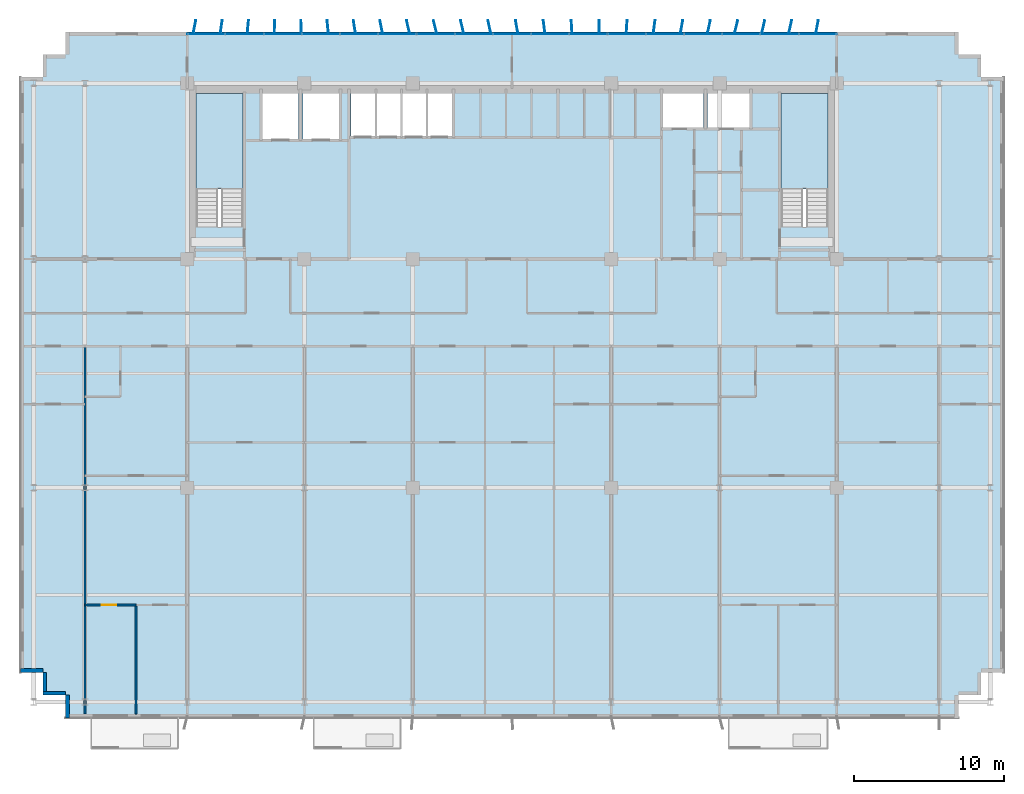
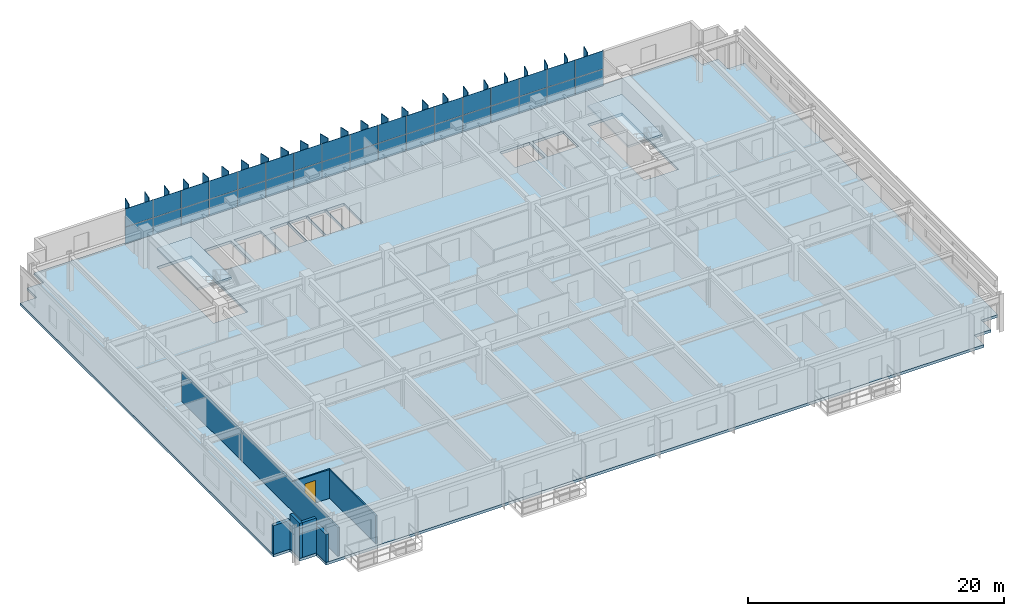
# One storey, part 14 of 22: 58 plates, 7 walls, 3 slabs, 1 door, 1 opening, 3 elements without a shape of their own.
"""IFC4 building model written with IfcOpenShell, lengths in metres."""

from ifc_helpers import new_model, si_unit, direction, frame, frame_2d, origin, origin_2d, place, context, subcontext, project, spatial, polyline, rectangle, outline, extrude, source, transform, mapped, material, layer, layer_set, type_object, element, fill, aggregate, save


model = new_model("IFC4")

# Units and contexts
model_context = context("Model", 3, precision=1e-05, world=origin(), true_north=direction((0.0, 1.0)))
body_context = subcontext(model_context, "Body", "Model", "MODEL_VIEW")
ifc_project = project(units=[si_unit("LENGTHUNIT", "METRE"), si_unit("AREAUNIT", "SQUARE_METRE"), si_unit("VOLUMEUNIT", "CUBIC_METRE"), si_unit("PLANEANGLEUNIT", "RADIAN"), si_unit("MASSUNIT", "GRAM", prefix="KILO")], contexts=[model_context])

# Site, building, storey
site_placement = place(None, origin())
site = spatial("IfcSite", under=ifc_project, at=site_placement, CompositionType="ELEMENT")
building_placement = place(site_placement, origin())
building = spatial("IfcBuilding", under=site, at=building_placement, Name="Trelvane Seafront Commons", CompositionType="ELEMENT")
storey_placement = place(building_placement, frame((0.0, 0.0, 59.5)))
storey = spatial("IfcBuildingStorey", under=building, at=storey_placement, Name="L15", CompositionType="ELEMENT", Elevation=59.5)

# Stair, slab
ifc_material_1 = material(Name="Concrete C40/50", Category="concrete")
stair_type_1 = type_object("IfcStairType", Name="ARCH-STR-ST-1-R20-180", PredefinedType="HALF_TURN_STAIR", material=ifc_material_1)
stair_1_placement = place(storey_placement, origin())
stair_1 = element("IfcStair", 1, at=stair_1_placement, inside=storey, type_object=stair_type_1, Name="L15 West Protected Firefighting Exit Stair ST-1", PredefinedType="HALF_TURN_STAIR")
ifc_layer_1 = layer(ifc_material_1, 0.199951171875, Name="ARCH-LND-200")
ifc_layer_set_1 = layer_set([ifc_layer_1], Name="Concrete C40/50")
slab_type_1 = type_object("IfcSlabType", Name="ARCH-LND-200", PredefinedType="LANDING", material=ifc_layer_set_1)
slab_1_placement = place(storey_placement, frame((0.0, 0.0, 1.60009765625)))
slab_1 = element("IfcSlab", 2, at=slab_1_placement, type_object=slab_type_1, Name="ST-1 landing 1", PredefinedType="LANDING", context=body_context, shape_type="SweptSolid", body=[
    extrude(outline(polyline([(19.300048828125, 38.070068359375), (19.300048828125, 44.39990234375), (16.199951171875, 44.39990234375), (16.199951171875, 38.070068359375), (19.300048828125, 38.070068359375)])), origin(), (0.0, 0.0, 1.0), 0.199951171875),
])
aggregate(stair_1, [slab_1])

stair_type_2 = type_object("IfcStairType", Name="ARCH-STR-ST-2-R20-180", PredefinedType="HALF_TURN_STAIR", material=ifc_material_1)
stair_2_placement = place(storey_placement, origin())
stair_2 = element("IfcStair", 3, at=stair_2_placement, inside=storey, type_object=stair_type_2, Name="L15 East Protected Firefighting Exit Stair ST-2", PredefinedType="HALF_TURN_STAIR")
slab_2_placement = place(storey_placement, frame((0.0, 0.0, 1.60009765625)))
slab_2 = element("IfcSlab", 4, at=slab_2_placement, type_object=slab_type_1, Name="ST-2 landing 1", PredefinedType="LANDING", context=body_context, shape_type="SweptSolid", body=[
    extrude(outline(polyline([(58.199951171875, 38.070068359375), (58.199951171875, 44.39990234375), (55.10009765625, 44.39990234375), (55.10009765625, 38.070068359375), (58.199951171875, 38.070068359375)])), origin(), (0.0, 0.0, 1.0), 0.199951171875),
])
aggregate(stair_2, [slab_2])

# Slab
ifc_material_2 = material(Name="Concrete C50/60", Category="concrete")
ifc_layer_2 = layer(ifc_material_2, 0.260009765625, Name="STR-SLB-Z1-260")
ifc_layer_set_2 = layer_set([ifc_layer_2], Name="Concrete C50/60")
slab_type_2 = type_object("IfcSlabType", Name="STR-SLB-Z1-260", PredefinedType="FLOOR", material=ifc_layer_set_2)
slab_3_placement = place(storey_placement, frame((0.0, 0.0, -0.260009765625)))
element("IfcSlab", 5, at=slab_3_placement, inside=storey, type_object=slab_type_2, Name="L15 Structural Floor Slab", PredefinedType="FLOOR", context=body_context, shape_type="SweptSolid", body=[
    extrude(outline(polyline([(7.5, 2.89990234375), (66.89990234375, 2.89990234375), (66.89990234375, 4.39990234375), (68.39990234375, 4.39990234375), (68.39990234375, 5.89990234375), (69.89990234375, 5.89990234375), (69.89990234375, 45.5), (68.39990234375, 45.5), (68.39990234375, 47.0), (66.89990234375, 47.0), (66.89990234375, 48.5), (7.5, 48.5), (7.5, 47.0), (6.0, 47.0), (6.0, 45.5), (4.5, 45.5), (4.5, 5.89990234375), (6.0, 5.89990234375), (6.0, 4.39990234375), (7.5, 4.39990234375), (7.5, 2.89990234375)]), holes=[polyline([(19.300048828125, 35.550048828125), (16.199951171875, 35.550048828125), (16.199951171875, 44.39990234375), (19.300048828125, 44.39990234375), (19.300048828125, 35.550048828125)]), polyline([(58.199951171875, 35.550048828125), (55.10009765625, 35.550048828125), (55.10009765625, 44.39990234375), (58.199951171875, 44.39990234375), (58.199951171875, 35.550048828125)]), polyline([(23.0, 41.39990234375), (20.60009765625, 41.39990234375), (20.60009765625, 44.60009765625), (23.0, 44.60009765625), (23.0, 41.39990234375)]), polyline([(23.300048828125, 41.39990234375), (23.300048828125, 44.60009765625), (25.699951171875, 44.60009765625), (25.699951171875, 41.39990234375), (23.300048828125, 41.39990234375)]), polyline([(26.5, 41.60009765625), (26.5, 44.60009765625), (28.1201171875, 44.60009765625), (28.1201171875, 41.60009765625), (26.5, 41.60009765625)]), polyline([(29.820068359375, 41.60009765625), (28.199951171875, 41.60009765625), (28.199951171875, 44.60009765625), (29.820068359375, 44.60009765625), (29.820068359375, 41.60009765625)]), polyline([(31.52001953125, 41.60009765625), (29.89990234375, 41.60009765625), (29.89990234375, 44.60009765625), (31.52001953125, 44.60009765625), (31.52001953125, 41.60009765625)]), polyline([(33.219970703125, 41.60009765625), (31.60009765625, 41.60009765625), (31.60009765625, 44.60009765625), (33.219970703125, 44.60009765625), (33.219970703125, 41.60009765625)]), polyline([(47.25, 42.14990234375), (47.25, 44.550048828125), (49.949951171875, 44.550048828125), (49.949951171875, 42.14990234375), (47.25, 42.14990234375)]), polyline([(50.199951171875, 42.14990234375), (50.199951171875, 44.550048828125), (53.0, 44.550048828125), (53.0, 42.14990234375), (50.199951171875, 42.14990234375)])]), origin(), (0.0, 0.0, 1.0), 0.260009765625),
])

# Curtain wall, plates
ifc_material_3 = material(Name="Anodised pale-silver aluminium", Category="aluminium")
curtain_wall_type = type_object("IfcCurtainWallType", Name="ARCH-CW2-LOWTOWER", PredefinedType="NOTDEFINED", material=ifc_material_3)
curtain_wall_placement = place(storey_placement, origin())
curtain_wall = element("IfcCurtainWall", 6, at=curtain_wall_placement, inside=storey, type_object=curtain_wall_type, Name="CW-L15-0039", PredefinedType="NOTDEFINED")
ifc_material_4 = material(Name="Low-E coastal double glazing", Category="glass")
ifc_layer_3 = layer(ifc_material_4, 0.033935546875, Name="ARCH-CW-GLAZ-34")
ifc_layer_set_3 = layer_set([ifc_layer_3], Name="Low-E coastal double glazing")
plate_type_1 = type_object("IfcPlateType", Name="ARCH-CW-GLAZ-34", PredefinedType="CURTAIN_PANEL", material=ifc_layer_set_3)
shared_shape_1 = source(origin(), body_context, "Body", "SweptSolid", [
    extrude(rectangle(XDim=2.51708984375, YDim=0.031982421875, at=origin_2d()), origin(), (0.0, 0.0, 1.0), 1.5849609375),
])
plate_1_placement = place(storey_placement, frame((16.87060546875, 48.3701171875, 0.0), z_axis=(0.0, 0.0, 1.0), x_axis=(1.0, 0.0, 0.0)))
plate_1 = element("IfcPlate", 7, at=plate_1_placement, type_object=plate_type_1, Name="CW-L15-0039-P00-1", PredefinedType="CURTAIN_PANEL", context=body_context, shape_type="MappedRepresentation", body=[
    mapped(shared_shape_1, transform((0.0, 0.0, 0.0), x_axis=(1.0, 0.0, 0.0), y_axis=(0.0, 1.0, 0.0), z_axis=(0.0, 0.0, 1.0), scale=1.0)),
])
plate_2_placement = place(storey_placement, frame((19.411865234375, 48.3701171875, 0.0), z_axis=(0.0, 0.0, 1.0), x_axis=(1.0, 0.0, 0.0)))
plate_2 = element("IfcPlate", 8, at=plate_2_placement, type_object=plate_type_1, Name="CW-L15-0039-P01-1", PredefinedType="CURTAIN_PANEL", context=body_context, shape_type="MappedRepresentation", body=[
    mapped(shared_shape_1, transform((0.0, 0.0, 0.0), x_axis=(1.0, 0.0, 0.0), y_axis=(0.0, 1.0, 0.0), z_axis=(0.0, 0.0, 1.0), scale=1.0)),
])
plate_3_placement = place(storey_placement, frame((21.952880859375, 48.3701171875, 0.0), z_axis=(0.0, 0.0, 1.0), x_axis=(1.0, 0.0, 0.0)))
plate_3 = element("IfcPlate", 9, at=plate_3_placement, type_object=plate_type_1, Name="CW-L15-0039-P02-1", PredefinedType="CURTAIN_PANEL", context=body_context, shape_type="MappedRepresentation", body=[
    mapped(shared_shape_1, transform((0.0, 0.0, 0.0), x_axis=(1.0, 0.0, 0.0), y_axis=(0.0, 1.0, 0.0), z_axis=(0.0, 0.0, 1.0), scale=1.0)),
])
plate_4_placement = place(storey_placement, frame((24.494140625, 48.3701171875, 0.0), z_axis=(0.0, 0.0, 1.0), x_axis=(1.0, 0.0, 0.0)))
plate_4 = element("IfcPlate", 10, at=plate_4_placement, type_object=plate_type_1, Name="CW-L15-0039-P03-1", PredefinedType="CURTAIN_PANEL", context=body_context, shape_type="MappedRepresentation", body=[
    mapped(shared_shape_1, transform((0.0, 0.0, 0.0), x_axis=(1.0, 0.0, 0.0), y_axis=(0.0, 1.0, 0.0), z_axis=(0.0, 0.0, 1.0), scale=1.0)),
])
plate_5_placement = place(storey_placement, frame((27.035400390625, 48.3701171875, 0.0), z_axis=(0.0, 0.0, 1.0), x_axis=(1.0, 0.0, 0.0)))
plate_5 = element("IfcPlate", 11, at=plate_5_placement, type_object=plate_type_1, Name="CW-L15-0039-P04-1", PredefinedType="CURTAIN_PANEL", context=body_context, shape_type="MappedRepresentation", body=[
    mapped(shared_shape_1, transform((0.0, 0.0, 0.0), x_axis=(1.0, 0.0, 0.0), y_axis=(0.0, 1.0, 0.0), z_axis=(0.0, 0.0, 1.0), scale=1.0)),
])
plate_6_placement = place(storey_placement, frame((29.576416015625, 48.3701171875, 0.0), z_axis=(0.0, 0.0, 1.0), x_axis=(1.0, 0.0, 0.0)))
plate_6 = element("IfcPlate", 12, at=plate_6_placement, type_object=plate_type_1, Name="CW-L15-0039-P05-1", PredefinedType="CURTAIN_PANEL", context=body_context, shape_type="MappedRepresentation", body=[
    mapped(shared_shape_1, transform((0.0, 0.0, 0.0), x_axis=(1.0, 0.0, 0.0), y_axis=(0.0, 1.0, 0.0), z_axis=(0.0, 0.0, 1.0), scale=1.0)),
])
plate_7_placement = place(storey_placement, frame((32.11767578125, 48.3701171875, 0.0), z_axis=(0.0, 0.0, 1.0), x_axis=(1.0, 0.0, 0.0)))
plate_7 = element("IfcPlate", 13, at=plate_7_placement, type_object=plate_type_1, Name="CW-L15-0039-P06-1", PredefinedType="CURTAIN_PANEL", context=body_context, shape_type="MappedRepresentation", body=[
    mapped(shared_shape_1, transform((0.0, 0.0, 0.0), x_axis=(1.0, 0.0, 0.0), y_axis=(0.0, 1.0, 0.0), z_axis=(0.0, 0.0, 1.0), scale=1.0)),
])
plate_8_placement = place(storey_placement, frame((34.65869140625, 48.3701171875, 0.0), z_axis=(0.0, 0.0, 1.0), x_axis=(1.0, 0.0, 0.0)))
plate_8 = element("IfcPlate", 14, at=plate_8_placement, type_object=plate_type_1, Name="CW-L15-0039-P07-1", PredefinedType="CURTAIN_PANEL", context=body_context, shape_type="MappedRepresentation", body=[
    mapped(shared_shape_1, transform((0.0, 0.0, 0.0), x_axis=(1.0, 0.0, 0.0), y_axis=(0.0, 1.0, 0.0), z_axis=(0.0, 0.0, 1.0), scale=1.0)),
])
plate_9_placement = place(storey_placement, frame((37.199951171875, 48.3701171875, 0.0), z_axis=(0.0, 0.0, 1.0), x_axis=(1.0, 0.0, 0.0)))
plate_9 = element("IfcPlate", 15, at=plate_9_placement, type_object=plate_type_1, Name="CW-L15-0039-P08-1", PredefinedType="CURTAIN_PANEL", context=body_context, shape_type="MappedRepresentation", body=[
    mapped(shared_shape_1, transform((0.0, 0.0, 0.0), x_axis=(1.0, 0.0, 0.0), y_axis=(0.0, 1.0, 0.0), z_axis=(0.0, 0.0, 1.0), scale=1.0)),
])
plate_10_placement = place(storey_placement, frame((39.7412109375, 48.3701171875, 0.0), z_axis=(0.0, 0.0, 1.0), x_axis=(1.0, 0.0, 0.0)))
plate_10 = element("IfcPlate", 16, at=plate_10_placement, type_object=plate_type_1, Name="CW-L15-0039-P09-1", PredefinedType="CURTAIN_PANEL", context=body_context, shape_type="MappedRepresentation", body=[
    mapped(shared_shape_1, transform((0.0, 0.0, 0.0), x_axis=(1.0, 0.0, 0.0), y_axis=(0.0, 1.0, 0.0), z_axis=(0.0, 0.0, 1.0), scale=1.0)),
])
plate_11_placement = place(storey_placement, frame((42.282470703125, 48.3701171875, 0.0), z_axis=(0.0, 0.0, 1.0), x_axis=(1.0, 0.0, 0.0)))
plate_11 = element("IfcPlate", 17, at=plate_11_placement, type_object=plate_type_1, Name="CW-L15-0039-P10-1", PredefinedType="CURTAIN_PANEL", context=body_context, shape_type="MappedRepresentation", body=[
    mapped(shared_shape_1, transform((0.0, 0.0, 0.0), x_axis=(1.0, 0.0, 0.0), y_axis=(0.0, 1.0, 0.0), z_axis=(0.0, 0.0, 1.0), scale=1.0)),
])
plate_12_placement = place(storey_placement, frame((44.823486328125, 48.3701171875, 0.0), z_axis=(0.0, 0.0, 1.0), x_axis=(1.0, 0.0, 0.0)))
plate_12 = element("IfcPlate", 18, at=plate_12_placement, type_object=plate_type_1, Name="CW-L15-0039-P11-1", PredefinedType="CURTAIN_PANEL", context=body_context, shape_type="MappedRepresentation", body=[
    mapped(shared_shape_1, transform((0.0, 0.0, 0.0), x_axis=(1.0, 0.0, 0.0), y_axis=(0.0, 1.0, 0.0), z_axis=(0.0, 0.0, 1.0), scale=1.0)),
])
plate_13_placement = place(storey_placement, frame((47.36474609375, 48.3701171875, 0.0), z_axis=(0.0, 0.0, 1.0), x_axis=(1.0, 0.0, 0.0)))
plate_13 = element("IfcPlate", 19, at=plate_13_placement, type_object=plate_type_1, Name="CW-L15-0039-P12-1", PredefinedType="CURTAIN_PANEL", context=body_context, shape_type="MappedRepresentation", body=[
    mapped(shared_shape_1, transform((0.0, 0.0, 0.0), x_axis=(1.0, 0.0, 0.0), y_axis=(0.0, 1.0, 0.0), z_axis=(0.0, 0.0, 1.0), scale=1.0)),
])
plate_14_placement = place(storey_placement, frame((49.906005859375, 48.3701171875, 0.0), z_axis=(0.0, 0.0, 1.0), x_axis=(1.0, 0.0, 0.0)))
plate_14 = element("IfcPlate", 20, at=plate_14_placement, type_object=plate_type_1, Name="CW-L15-0039-P13-1", PredefinedType="CURTAIN_PANEL", context=body_context, shape_type="MappedRepresentation", body=[
    mapped(shared_shape_1, transform((0.0, 0.0, 0.0), x_axis=(1.0, 0.0, 0.0), y_axis=(0.0, 1.0, 0.0), z_axis=(0.0, 0.0, 1.0), scale=1.0)),
])
plate_15_placement = place(storey_placement, frame((52.447021484375, 48.3701171875, 0.0), z_axis=(0.0, 0.0, 1.0), x_axis=(1.0, 0.0, 0.0)))
plate_15 = element("IfcPlate", 21, at=plate_15_placement, type_object=plate_type_1, Name="CW-L15-0039-P14-1", PredefinedType="CURTAIN_PANEL", context=body_context, shape_type="MappedRepresentation", body=[
    mapped(shared_shape_1, transform((0.0, 0.0, 0.0), x_axis=(1.0, 0.0, 0.0), y_axis=(0.0, 1.0, 0.0), z_axis=(0.0, 0.0, 1.0), scale=1.0)),
])
plate_16_placement = place(storey_placement, frame((54.98828125, 48.3701171875, 0.0), z_axis=(0.0, 0.0, 1.0), x_axis=(1.0, 0.0, 0.0)))
plate_16 = element("IfcPlate", 22, at=plate_16_placement, type_object=plate_type_1, Name="CW-L15-0039-P15-1", PredefinedType="CURTAIN_PANEL", context=body_context, shape_type="MappedRepresentation", body=[
    mapped(shared_shape_1, transform((0.0, 0.0, 0.0), x_axis=(1.0, 0.0, 0.0), y_axis=(0.0, 1.0, 0.0), z_axis=(0.0, 0.0, 1.0), scale=1.0)),
])
plate_17_placement = place(storey_placement, frame((57.529296875, 48.3701171875, 0.0), z_axis=(0.0, 0.0, 1.0), x_axis=(1.0, 0.0, 0.0)))
plate_17 = element("IfcPlate", 23, at=plate_17_placement, type_object=plate_type_1, Name="CW-L15-0039-P16-1", PredefinedType="CURTAIN_PANEL", context=body_context, shape_type="MappedRepresentation", body=[
    mapped(shared_shape_1, transform((0.0, 0.0, 0.0), x_axis=(1.0, 0.0, 0.0), y_axis=(0.0, 1.0, 0.0), z_axis=(0.0, 0.0, 1.0), scale=1.0)),
])
shared_shape_2 = source(origin(), body_context, "Body", "SweptSolid", [
    extrude(rectangle(XDim=2.51708984375, YDim=0.031982421875, at=origin_2d()), origin(), (0.0, 0.0, 1.0), 1.718994140625),
])
plate_18_placement = place(storey_placement, frame((16.87060546875, 48.3701171875, 1.62109375), z_axis=(0.0, 0.0, 1.0), x_axis=(1.0, 0.0, 0.0)))
plate_18 = element("IfcPlate", 24, at=plate_18_placement, type_object=plate_type_1, Name="CW-L15-0039-P00-2", PredefinedType="CURTAIN_PANEL", context=body_context, shape_type="MappedRepresentation", body=[
    mapped(shared_shape_2, transform((0.0, 0.0, 0.0), x_axis=(1.0, 0.0, 0.0), y_axis=(0.0, 1.0, 0.0), z_axis=(0.0, 0.0, 1.0), scale=1.0)),
])
plate_19_placement = place(storey_placement, frame((19.411865234375, 48.3701171875, 1.62109375), z_axis=(0.0, 0.0, 1.0), x_axis=(1.0, 0.0, 0.0)))
plate_19 = element("IfcPlate", 25, at=plate_19_placement, type_object=plate_type_1, Name="CW-L15-0039-P01-2", PredefinedType="CURTAIN_PANEL", context=body_context, shape_type="MappedRepresentation", body=[
    mapped(shared_shape_2, transform((0.0, 0.0, 0.0), x_axis=(1.0, 0.0, 0.0), y_axis=(0.0, 1.0, 0.0), z_axis=(0.0, 0.0, 1.0), scale=1.0)),
])
plate_20_placement = place(storey_placement, frame((21.952880859375, 48.3701171875, 1.62109375), z_axis=(0.0, 0.0, 1.0), x_axis=(1.0, 0.0, 0.0)))
plate_20 = element("IfcPlate", 26, at=plate_20_placement, type_object=plate_type_1, Name="CW-L15-0039-P02-2", PredefinedType="CURTAIN_PANEL", context=body_context, shape_type="MappedRepresentation", body=[
    mapped(shared_shape_2, transform((0.0, 0.0, 0.0), x_axis=(1.0, 0.0, 0.0), y_axis=(0.0, 1.0, 0.0), z_axis=(0.0, 0.0, 1.0), scale=1.0)),
])
plate_21_placement = place(storey_placement, frame((24.494140625, 48.3701171875, 1.62109375), z_axis=(0.0, 0.0, 1.0), x_axis=(1.0, 0.0, 0.0)))
plate_21 = element("IfcPlate", 27, at=plate_21_placement, type_object=plate_type_1, Name="CW-L15-0039-P03-2", PredefinedType="CURTAIN_PANEL", context=body_context, shape_type="MappedRepresentation", body=[
    mapped(shared_shape_2, transform((0.0, 0.0, 0.0), x_axis=(1.0, 0.0, 0.0), y_axis=(0.0, 1.0, 0.0), z_axis=(0.0, 0.0, 1.0), scale=1.0)),
])
plate_22_placement = place(storey_placement, frame((27.035400390625, 48.3701171875, 1.62109375), z_axis=(0.0, 0.0, 1.0), x_axis=(1.0, 0.0, 0.0)))
plate_22 = element("IfcPlate", 28, at=plate_22_placement, type_object=plate_type_1, Name="CW-L15-0039-P04-2", PredefinedType="CURTAIN_PANEL", context=body_context, shape_type="MappedRepresentation", body=[
    mapped(shared_shape_2, transform((0.0, 0.0, 0.0), x_axis=(1.0, 0.0, 0.0), y_axis=(0.0, 1.0, 0.0), z_axis=(0.0, 0.0, 1.0), scale=1.0)),
])
plate_23_placement = place(storey_placement, frame((29.576416015625, 48.3701171875, 1.62109375), z_axis=(0.0, 0.0, 1.0), x_axis=(1.0, 0.0, 0.0)))
plate_23 = element("IfcPlate", 29, at=plate_23_placement, type_object=plate_type_1, Name="CW-L15-0039-P05-2", PredefinedType="CURTAIN_PANEL", context=body_context, shape_type="MappedRepresentation", body=[
    mapped(shared_shape_2, transform((0.0, 0.0, 0.0), x_axis=(1.0, 0.0, 0.0), y_axis=(0.0, 1.0, 0.0), z_axis=(0.0, 0.0, 1.0), scale=1.0)),
])
plate_24_placement = place(storey_placement, frame((32.11767578125, 48.3701171875, 1.62109375), z_axis=(0.0, 0.0, 1.0), x_axis=(1.0, 0.0, 0.0)))
plate_24 = element("IfcPlate", 30, at=plate_24_placement, type_object=plate_type_1, Name="CW-L15-0039-P06-2", PredefinedType="CURTAIN_PANEL", context=body_context, shape_type="MappedRepresentation", body=[
    mapped(shared_shape_2, transform((0.0, 0.0, 0.0), x_axis=(1.0, 0.0, 0.0), y_axis=(0.0, 1.0, 0.0), z_axis=(0.0, 0.0, 1.0), scale=1.0)),
])
plate_25_placement = place(storey_placement, frame((34.65869140625, 48.3701171875, 1.62109375), z_axis=(0.0, 0.0, 1.0), x_axis=(1.0, 0.0, 0.0)))
plate_25 = element("IfcPlate", 31, at=plate_25_placement, type_object=plate_type_1, Name="CW-L15-0039-P07-2", PredefinedType="CURTAIN_PANEL", context=body_context, shape_type="MappedRepresentation", body=[
    mapped(shared_shape_2, transform((0.0, 0.0, 0.0), x_axis=(1.0, 0.0, 0.0), y_axis=(0.0, 1.0, 0.0), z_axis=(0.0, 0.0, 1.0), scale=1.0)),
])
plate_26_placement = place(storey_placement, frame((37.199951171875, 48.3701171875, 1.62109375), z_axis=(0.0, 0.0, 1.0), x_axis=(1.0, 0.0, 0.0)))
plate_26 = element("IfcPlate", 32, at=plate_26_placement, type_object=plate_type_1, Name="CW-L15-0039-P08-2", PredefinedType="CURTAIN_PANEL", context=body_context, shape_type="MappedRepresentation", body=[
    mapped(shared_shape_2, transform((0.0, 0.0, 0.0), x_axis=(1.0, 0.0, 0.0), y_axis=(0.0, 1.0, 0.0), z_axis=(0.0, 0.0, 1.0), scale=1.0)),
])
plate_27_placement = place(storey_placement, frame((39.7412109375, 48.3701171875, 1.62109375), z_axis=(0.0, 0.0, 1.0), x_axis=(1.0, 0.0, 0.0)))
plate_27 = element("IfcPlate", 33, at=plate_27_placement, type_object=plate_type_1, Name="CW-L15-0039-P09-2", PredefinedType="CURTAIN_PANEL", context=body_context, shape_type="MappedRepresentation", body=[
    mapped(shared_shape_2, transform((0.0, 0.0, 0.0), x_axis=(1.0, 0.0, 0.0), y_axis=(0.0, 1.0, 0.0), z_axis=(0.0, 0.0, 1.0), scale=1.0)),
])
plate_28_placement = place(storey_placement, frame((42.282470703125, 48.3701171875, 1.62109375), z_axis=(0.0, 0.0, 1.0), x_axis=(1.0, 0.0, 0.0)))
plate_28 = element("IfcPlate", 34, at=plate_28_placement, type_object=plate_type_1, Name="CW-L15-0039-P10-2", PredefinedType="CURTAIN_PANEL", context=body_context, shape_type="MappedRepresentation", body=[
    mapped(shared_shape_2, transform((0.0, 0.0, 0.0), x_axis=(1.0, 0.0, 0.0), y_axis=(0.0, 1.0, 0.0), z_axis=(0.0, 0.0, 1.0), scale=1.0)),
])
plate_29_placement = place(storey_placement, frame((44.823486328125, 48.3701171875, 1.62109375), z_axis=(0.0, 0.0, 1.0), x_axis=(1.0, 0.0, 0.0)))
plate_29 = element("IfcPlate", 35, at=plate_29_placement, type_object=plate_type_1, Name="CW-L15-0039-P11-2", PredefinedType="CURTAIN_PANEL", context=body_context, shape_type="MappedRepresentation", body=[
    mapped(shared_shape_2, transform((0.0, 0.0, 0.0), x_axis=(1.0, 0.0, 0.0), y_axis=(0.0, 1.0, 0.0), z_axis=(0.0, 0.0, 1.0), scale=1.0)),
])
plate_30_placement = place(storey_placement, frame((47.36474609375, 48.3701171875, 1.62109375), z_axis=(0.0, 0.0, 1.0), x_axis=(1.0, 0.0, 0.0)))
plate_30 = element("IfcPlate", 36, at=plate_30_placement, type_object=plate_type_1, Name="CW-L15-0039-P12-2", PredefinedType="CURTAIN_PANEL", context=body_context, shape_type="MappedRepresentation", body=[
    mapped(shared_shape_2, transform((0.0, 0.0, 0.0), x_axis=(1.0, 0.0, 0.0), y_axis=(0.0, 1.0, 0.0), z_axis=(0.0, 0.0, 1.0), scale=1.0)),
])
plate_31_placement = place(storey_placement, frame((49.906005859375, 48.3701171875, 1.62109375), z_axis=(0.0, 0.0, 1.0), x_axis=(1.0, 0.0, 0.0)))
plate_31 = element("IfcPlate", 37, at=plate_31_placement, type_object=plate_type_1, Name="CW-L15-0039-P13-2", PredefinedType="CURTAIN_PANEL", context=body_context, shape_type="MappedRepresentation", body=[
    mapped(shared_shape_2, transform((0.0, 0.0, 0.0), x_axis=(1.0, 0.0, 0.0), y_axis=(0.0, 1.0, 0.0), z_axis=(0.0, 0.0, 1.0), scale=1.0)),
])
plate_32_placement = place(storey_placement, frame((52.447021484375, 48.3701171875, 1.62109375), z_axis=(0.0, 0.0, 1.0), x_axis=(1.0, 0.0, 0.0)))
plate_32 = element("IfcPlate", 38, at=plate_32_placement, type_object=plate_type_1, Name="CW-L15-0039-P14-2", PredefinedType="CURTAIN_PANEL", context=body_context, shape_type="MappedRepresentation", body=[
    mapped(shared_shape_2, transform((0.0, 0.0, 0.0), x_axis=(1.0, 0.0, 0.0), y_axis=(0.0, 1.0, 0.0), z_axis=(0.0, 0.0, 1.0), scale=1.0)),
])
plate_33_placement = place(storey_placement, frame((54.98828125, 48.3701171875, 1.62109375), z_axis=(0.0, 0.0, 1.0), x_axis=(1.0, 0.0, 0.0)))
plate_33 = element("IfcPlate", 39, at=plate_33_placement, type_object=plate_type_1, Name="CW-L15-0039-P15-2", PredefinedType="CURTAIN_PANEL", context=body_context, shape_type="MappedRepresentation", body=[
    mapped(shared_shape_2, transform((0.0, 0.0, 0.0), x_axis=(1.0, 0.0, 0.0), y_axis=(0.0, 1.0, 0.0), z_axis=(0.0, 0.0, 1.0), scale=1.0)),
])
plate_34_placement = place(storey_placement, frame((57.529296875, 48.3701171875, 1.62109375), z_axis=(0.0, 0.0, 1.0), x_axis=(1.0, 0.0, 0.0)))
plate_34 = element("IfcPlate", 40, at=plate_34_placement, type_object=plate_type_1, Name="CW-L15-0039-P16-2", PredefinedType="CURTAIN_PANEL", context=body_context, shape_type="MappedRepresentation", body=[
    mapped(shared_shape_2, transform((0.0, 0.0, 0.0), x_axis=(1.0, 0.0, 0.0), y_axis=(0.0, 1.0, 0.0), z_axis=(0.0, 0.0, 1.0), scale=1.0)),
])
aggregate(curtain_wall, [plate_1, plate_18, plate_2, plate_19, plate_3, plate_20, plate_4, plate_21, plate_5, plate_22, plate_6, plate_23, plate_7, plate_24, plate_8, plate_25, plate_9, plate_26, plate_10, plate_27, plate_11, plate_28, plate_12, plate_29, plate_13, plate_30, plate_14, plate_31, plate_15, plate_32, plate_16, plate_33, plate_17, plate_34])

# Plates
ifc_layer_4 = layer(ifc_material_3, 0.06005859375, Name="ARCH-PLATE-FIN900")
ifc_layer_set_4 = layer_set([ifc_layer_4], Name="Anodised pale-silver aluminium")
plate_type_2 = type_object("IfcPlateType", Name="ARCH-PLATE-FIN900", PredefinedType="USERDEFINED", material=ifc_layer_set_4)
shared_shape_3 = source(origin(), body_context, "Body", "SweptSolid", [
    extrude(rectangle(XDim=0.89990234375, YDim=0.06005859375, at=origin_2d()), origin(), (0.0, 0.0, 1.0), 3.639892578125),
])
for number, where, z_axis, x_axis, name in (
    (41, (16.08837890625, 48.84130859375, -0.02001953125), (0.0, 0.0, 1.0), (0.196223398669, 0.980559216883, 0.0), "FIN-L15-00327"),
    (42, (17.867919921875, 48.844970703125, -0.02001953125), (0.0, 0.0, 1.0), (0.150888156091, 0.98855084055, 0.0), "FIN-L15-00328"),
    (43, (19.642333984375, 48.847900390625, -0.02001953125), (0.0, 0.0, 1.0), (0.093891113153, 0.995582472159, 0.0), "FIN-L15-00329"),
    (44, (21.413330078125, 48.849853515625, -0.02001953125), (0.0, 0.0, 1.0), (0.029777895808, 0.999556540132, 0.0), "FIN-L15-00330"),
    (45, (23.18359375, 48.849609375, -0.02001953125), (0.0, 0.0, 1.0), (-0.03677800847, 0.999323460193, 0.0), "FIN-L15-00331"),
    (46, (24.954833984375, 48.84765625, -0.02001953125), (0.0, 0.0, 1.0), (-0.100450276826, 0.994942079664, 0.0), "FIN-L15-00332"),
    (47, (26.7294921875, 48.844482421875, -0.02001953125), (0.0, 0.0, 1.0), (-0.156339653045, 0.987703352675, 0.0), "FIN-L15-00333"),
    (48, (28.510009765625, 48.8408203125, -0.02001953125), (0.0, 0.0, 1.0), (-0.200323892189, 0.979729727128, 0.0), "FIN-L15-00334"),
    (49, (30.296875, 48.837890625, -0.02001953125), (0.0, 0.0, 1.0), (-0.229336298071, 0.973347246561, 0.0), "FIN-L15-00335"),
    (50, (32.09130859375, 48.836669921875, -0.02001953125), (0.0, 0.0, 1.0), (-0.24156794104, 0.970383908493, 0.0), "FIN-L15-00336"),
    (51, (33.893798828125, 48.837158203125, -0.02001953125), (0.0, 0.0, 1.0), (-0.236229352972, 0.971697325711, 0.0), "FIN-L15-00337"),
    (52, (35.703857421875, 48.839599609375, -0.02001953125), (0.0, 0.0, 1.0), (-0.213669815435, 0.976905937116, 0.0), "FIN-L15-00338"),
    (53, (37.521240234375, 48.843017578125, -0.02001953125), (0.0, 0.0, 1.0), (-0.17521723352, 0.984529796948, 0.0), "FIN-L15-00339"),
    (54, (39.344482421875, 48.8466796875, -0.02001953125), (0.0, 0.0, 1.0), (-0.123556446018, 0.992337545721, 0.0), "FIN-L15-00340"),
    (55, (41.171875, 48.84912109375, -0.02001953125), (0.0, 0.0, 1.0), (-0.062447364432, 0.998048258691, 0.0), "FIN-L15-00341"),
    (56, (43.001708984375, 48.85009765625, -0.02001953125), (0.0, 0.0, 1.0), (0.003555228197, 0.999993680156, 0.0), "FIN-L15-00342"),
    (57, (44.831298828125, 48.848876953125, -0.02001953125), (0.0, 0.0, 1.0), (0.069335126727, 0.997593424298, 0.0), "FIN-L15-00343"),
    (58, (46.658203125, 48.84619140625, -0.02001953125), (0.0, 0.0, 1.0), (0.129666135556, 0.991557710519, 0.0), "FIN-L15-00344"),
    (59, (48.48095703125, 48.842529296875, -0.02001953125), (0.0, 0.0, 1.0), (0.180000690068, 0.983666483914, 0.0), "FIN-L15-00345"),
    (60, (50.297607421875, 48.83935546875, -0.02001953125), (0.0, 0.0, 1.0), (0.216776984688, 0.976221152665, 0.0), "FIN-L15-00346"),
    (61, (52.10693359375, 48.837158203125, -0.02001953125), (0.0, 0.0, 1.0), (0.237668939173, 0.971346218067, 0.0), "FIN-L15-00347"),
    (62, (53.908447265625, 48.836669921875, -0.02001953125), (0.0, 0.0, 1.0), (0.241124182271, 0.97049427032, 0.0), "FIN-L15-00348"),
    (63, (55.7021484375, 48.83837890625, -0.02001953125), (0.0, 0.0, 1.0), (0.227001473982, 0.973894414611, 0.0), "FIN-L15-00349"),
    (64, (57.48828125, 48.84130859375, -0.02001953125), (0.0, 0.0, 1.0), (0.196223398669, 0.980559216883, 0.0), "FIN-L15-00350"),
):
    element("IfcPlate", number, at=place(storey_placement, frame(where, z_axis=z_axis, x_axis=x_axis)), inside=storey, type_object=plate_type_2, Name=name, ObjectType="FIN", PredefinedType="USERDEFINED", context=body_context, shape_type="MappedRepresentation", body=[
        mapped(shared_shape_3, transform((0.0, 0.0, 0.0), x_axis=(1.0, 0.0, 0.0), y_axis=(0.0, 1.0, 0.0), z_axis=(0.0, 0.0, 1.0), scale=1.0)),
    ])

# Walls
ifc_material_5 = material(Name="Precast concrete C40/50", Category="concrete")
ifc_layer_5 = layer(ifc_material_5, 0.260009765625, Name="ARCH-WALL-EXT260")
ifc_layer_set_5 = layer_set([ifc_layer_5], Name="Precast concrete C40/50")
wall_type_1 = type_object("IfcWallType", Name="ARCH-WALL-EXT260", PredefinedType="SOLIDWALL", material=ifc_layer_set_5)
for number, where, z_axis, x_axis, name in (
    (65, (7.5, 4.530029296875, 0.0), (0.0, 0.0, 1.0), (-1.0, 0.0, 0.0), "EW-L15-00257"),
    (66, (6.1298828125, 4.39990234375, 0.0), (0.0, 0.0, 1.0), (0.0, 1.0, 0.0), "EW-L15-00258"),
):
    element("IfcWall", number, at=place(storey_placement, frame(where, z_axis=z_axis, x_axis=x_axis)), inside=storey, type_object=wall_type_1, Name=name, PredefinedType="SOLIDWALL", context=body_context, shape_type="SweptSolid", body=[
        extrude(rectangle(XDim=1.5, YDim=0.260009765625, at=frame_2d((0.75, 0.0))), origin(), (0.0, 0.0, 1.0), 3.340087890625),
    ])
wall_1_placement = place(storey_placement, frame((6.0, 6.030029296875, 0.0), z_axis=(0.0, 0.0, 1.0), x_axis=(-1.0, 0.0, 0.0)))
element("IfcWall", 67, at=wall_1_placement, inside=storey, type_object=wall_type_1, Name="EW-L15-00259", PredefinedType="SOLIDWALL", context=body_context, shape_type="SweptSolid", body=[
    extrude(rectangle(XDim=1.5, YDim=0.260009765625, at=frame_2d((0.75, 0.0))), origin(), (0.0, 0.0, 1.0), 2.751953125),
])
wall_2_placement = place(storey_placement, frame((7.6298828125, 2.89990234375, 0.0), z_axis=(0.0, 0.0, 1.0), x_axis=(0.0, 1.0, 0.0)))
element("IfcWall", 68, at=wall_2_placement, inside=storey, type_object=wall_type_1, Name="EW-L15-00275", PredefinedType="SOLIDWALL", context=body_context, shape_type="SweptSolid", body=[
    extrude(rectangle(XDim=1.5, YDim=0.260009765625, at=frame_2d((0.75, 0.0))), origin(), (0.0, 0.0, 1.0), 2.68994140625),
])

# Wall, opening, door
ifc_material_6 = material(Name="Gypsum Drywall Acoustic Partition")
ifc_layer_6 = layer(ifc_material_6, 0.1201171875, Name="ARCH-WALL-PART120")
ifc_layer_set_6 = layer_set([ifc_layer_6], Name="Gypsum Drywall Acoustic Partition")
wall_type_2 = type_object("IfcWallType", Name="ARCH-WALL-PART120", PredefinedType="PARTITIONING", material=ifc_layer_set_6)
wall_3_placement = place(storey_placement, frame((8.800048828125, 10.39990234375, 0.0), z_axis=(0.0, 0.0, 1.0), x_axis=(1.0, 0.0, 0.0)))
wall_3 = element("IfcWall", 69, at=wall_3_placement, inside=storey, type_object=wall_type_2, Name="W-L15-U2-YM-1-071", PredefinedType="PARTITIONING", context=body_context, shape_type="SweptSolid", body=[
    extrude(rectangle(XDim=3.39990234375, YDim=0.1201171875, at=frame_2d((1.699951171875, 0.0))), origin(), (0.0, 0.0, 1.0), 2.751953125),
])
opening_placement = place(wall_3_placement, frame((1.131103515625, 0.0, 0.0)))
opening = element("IfcOpeningElement", 70, at=opening_placement, cuts=wall_3, Name="Opening D-L15-34", PredefinedType="OPENING", context=body_context, shape_type="SweptSolid", body=[
    extrude(rectangle(XDim=0.949951171875, YDim=2.14990234375, at=frame_2d((0.47509765625, 1.074951171875))), frame((0.0, 0.070068359375, 0.0), z_axis=(0.0, -1.0, 0.0), x_axis=(1.0, 0.0, 0.0)), (0.0, 0.0, 1.0), 0.14013671875),
])
ifc_material_7 = material(Name="Acoustic timber door leaf", Category="wood")
door_type = type_object("IfcDoorType", Name="ARCH-DR-INT950", OperationType="NOTDEFINED", PredefinedType="DOOR", material=ifc_material_7)
shared_shape_4 = source(origin(), body_context, "Body", "SweptSolid", [
    extrude(rectangle(XDim=0.949951171875, YDim=2.14990234375, at=frame_2d((0.47509765625, 1.074951171875))), frame((0.0, 0.02490234375, 0.0), z_axis=(0.0, -1.0, 0.0), x_axis=(1.0, 0.0, 0.0)), (0.0, 0.0, 1.0), 0.050048828125),
])
door_placement = place(opening_placement, origin())
door = element("IfcDoor", 71, at=door_placement, inside=storey, type_object=door_type, Name="L15 Door 34", OperationType="SINGLE_SWING_RIGHT", OverallHeight=2.14990234375, OverallWidth=0.949951171875, PredefinedType="DOOR", context=body_context, shape_type="MappedRepresentation", body=[
    mapped(shared_shape_4, transform((0.0, 0.0, 0.0), x_axis=(1.0, 0.0, 0.0), y_axis=(0.0, 1.0, 0.0), z_axis=(0.0, 0.0, 1.0), scale=1.0)),
])
fill(opening, door)

# Walls
wall_4_placement = place(storey_placement, frame((12.199951171875, 3.14501953125, 0.0), z_axis=(0.0, 0.0, 1.0), x_axis=(0.0, 1.0, 0.0)))
element("IfcWall", 72, at=wall_4_placement, inside=storey, type_object=wall_type_2, Name="W-L15-U2-BDV-1-073", PredefinedType="PARTITIONING", context=body_context, shape_type="SweptSolid", body=[
    extrude(rectangle(XDim=7.2548828125, YDim=0.1201171875, at=frame_2d((3.62744140625, 0.0))), origin(), (0.0, 0.0, 1.0), 2.68994140625),
])
ifc_layer_7 = layer(ifc_material_6, 0.14990234375, Name="ARCH-WALL-PART150")
ifc_layer_set_7 = layer_set([ifc_layer_7], Name="Gypsum Drywall Acoustic Partition")
wall_type_3 = type_object("IfcWallType", Name="ARCH-WALL-PART150", PredefinedType="PARTITIONING", material=ifc_layer_set_7)
wall_5_placement = place(storey_placement, frame((8.800048828125, 3.14501953125, 0.0), z_axis=(0.0, 0.0, 1.0), x_axis=(0.0, 1.0, 0.0)))
element("IfcWall", 73, at=wall_5_placement, inside=storey, type_object=wall_type_3, Name="W-L15-PW-1-055", PredefinedType="PARTITIONING", context=body_context, shape_type="SweptSolid", body=[
    extrude(rectangle(XDim=24.455078125, YDim=0.14990234375, at=frame_2d((12.2275390625, 0.0))), origin(), (0.0, 0.0, 1.0), 2.751953125),
])

save(model, "model.ifc")
